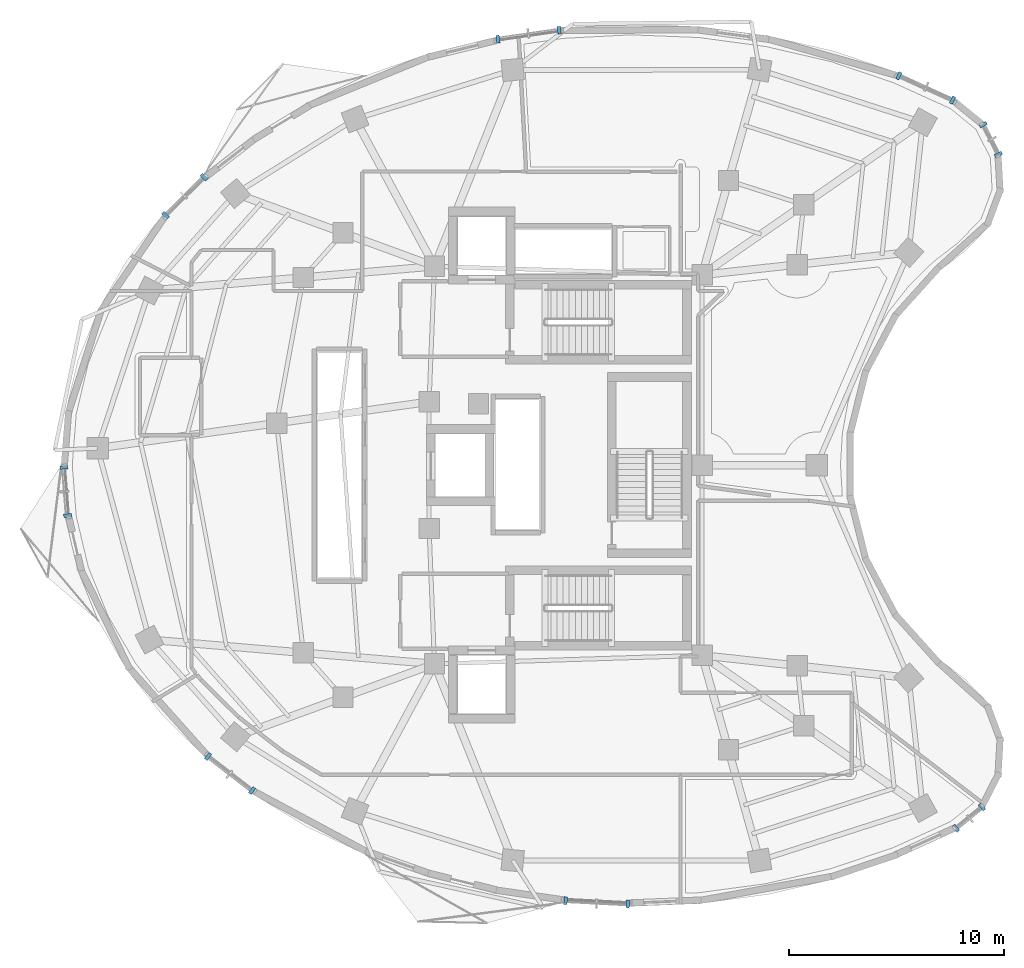
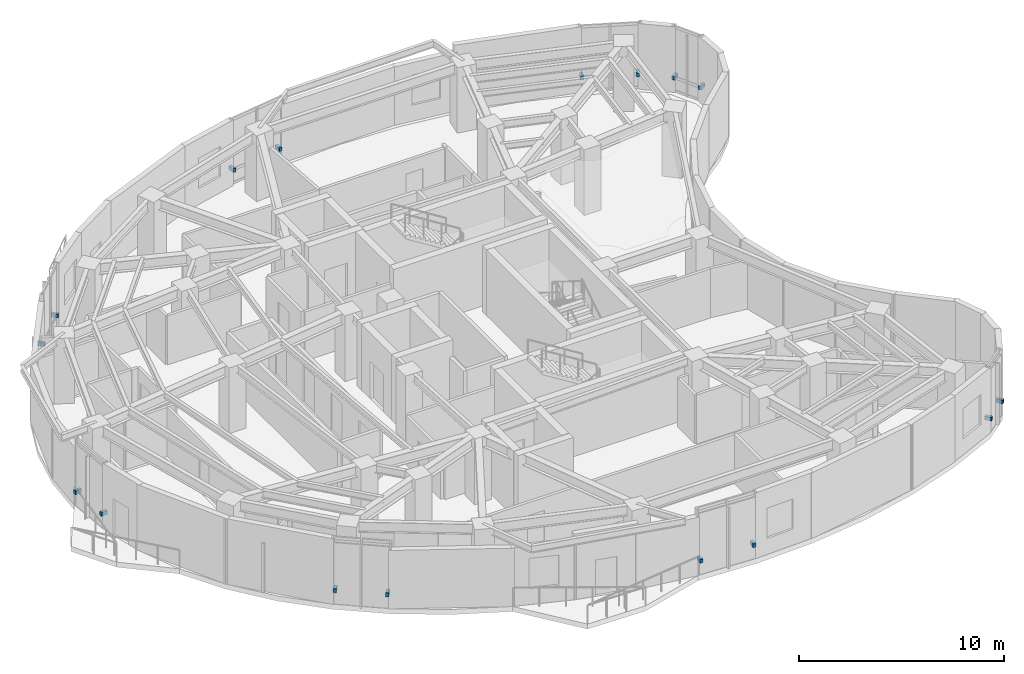
# One storey, part 10 of 13: 16 discrete accessories.
"""IFC4 building model written with IfcOpenShell, lengths in metres."""

from ifc_helpers import new_model, si_unit, direction, frame, origin, origin_2d, place, context, subcontext, project, spatial, rectangle, extrude, material, type_object, element, save


model = new_model("IFC4")

# Units and contexts
model_context = context("Model", 3, precision=1e-05, world=origin(), true_north=direction((0.0, 1.0)))
body_context = subcontext(model_context, "Body", "Model", "MODEL_VIEW")
ifc_project = project(units=[si_unit("LENGTHUNIT", "METRE"), si_unit("AREAUNIT", "SQUARE_METRE"), si_unit("VOLUMEUNIT", "CUBIC_METRE"), si_unit("PLANEANGLEUNIT", "RADIAN"), si_unit("MASSUNIT", "GRAM", prefix="KILO")], contexts=[model_context])

# Site, building, storey
site_placement = place(None, origin())
site = spatial("IfcSite", under=ifc_project, at=site_placement, CompositionType="ELEMENT")
building_placement = place(site_placement, origin())
building = spatial("IfcBuilding", under=site, at=building_placement, Name="Korentha Bioscience Tower", CompositionType="ELEMENT")
storey_placement = place(building_placement, frame((0.0, 0.0, 175.199951171875)))
storey = spatial("IfcBuildingStorey", under=building, at=storey_placement, Name="L40", CompositionType="ELEMENT", Elevation=175.199951171875)

# Discrete accessories
ifc_material = material(Name="Stainless Steel 316", Category="steel")
discrete_accessory_type = type_object("IfcDiscreteAccessoryType", Name="Stainless Steel Solar-Screen Outrigger Bracket", PredefinedType="BRACKET", material=ifc_material)
for number, where, z_axis, x_axis, name in (
    (1, (49.205810546875, 43.982421875, 0.740234375), (0.0, 0.0, 1.0), (-0.910644398392, 0.413190972406, 0.0), "CW-L40-01 Solar-Screen Support Bracket 1"),
    (2, (46.70947265625, 45.114990234375, 0.740234375), (0.0, 0.0, 1.0), (-0.910644398392, 0.413190972406, 0.0), "CW-L40-01 Solar-Screen Support Bracket 2"),
    (3, (30.89990234375, 47.232666015625, 0.740234375), (0.0, 0.0, 1.0), (-0.989461919888, -0.144793332342, 0.0), "CW-L40-07 Solar-Screen Support Bracket 1"),
    (4, (28.0556640625, 46.81640625, 0.740234375), (0.0, 0.0, 1.0), (-0.989461919888, -0.144793332342, 0.0), "CW-L40-07 Solar-Screen Support Bracket 2"),
    (5, (14.37451171875, 40.389892578125, 0.740234375), (0.0, 0.0, 1.0), (-0.711460557971, -0.702726030862, 0.0), "CW-L40-13 Solar-Screen Support Bracket 1"),
    (6, (12.58984375, 38.626953125, 0.740234375), (0.0, 0.0, 1.0), (-0.711460557971, -0.702726030862, 0.0), "CW-L40-13 Solar-Screen Support Bracket 2"),
    (7, (7.8544921875, 26.89599609375, 0.740234375), (0.0, 0.0, 1.0), (0.078030772566, -0.996950950916, 0.0), "CW-L40-19 Solar-Screen Support Bracket 1"),
    (8, (8.029541015625, 24.658447265625, 0.740234375), (0.0, 0.0, 1.0), (0.078030772566, -0.996950950916, 0.0), "CW-L40-19 Solar-Screen Support Bracket 2"),
    (9, (14.565673828125, 13.443359375, 0.740234375), (0.0, 0.0, 1.0), (0.790546796919, -0.612401634454, 0.0), "CW-L40-25 Solar-Screen Support Bracket 1"),
    (10, (16.61083984375, 11.859130859375, 0.740234375), (0.0, 0.0, 1.0), (0.790546796919, -0.612401634454, 0.0), "CW-L40-25 Solar-Screen Support Bracket 2"),
    (11, (31.201171875, 6.737548828125, 0.740234375), (0.0, 0.0, 1.0), (0.998637677307, -0.052180355139, 0.0), "CW-L40-31 Solar-Screen Support Bracket 1"),
    (12, (34.089599609375, 6.586669921875, 0.740234375), (0.0, 0.0, 1.0), (0.998637677307, -0.052180355139, 0.0), "CW-L40-31 Solar-Screen Support Bracket 2"),
    (13, (49.366943359375, 10.10546875, 0.740234375), (0.0, 0.0, 1.0), (0.77425646139, 0.632871971251, 0.0), "CW-L40-37 Solar-Screen Support Bracket 1"),
    (14, (50.573974609375, 11.092041015625, 0.740234375), (0.0, 0.0, 1.0), (0.77425646139, 0.632871971251, 0.0), "CW-L40-37 Solar-Screen Support Bracket 2"),
    (15, (51.33544921875, 41.452880859375, 0.740234375), (0.0, 0.0, 1.0), (-0.45428845847, 0.890854643868, 0.0), "CW-L40-61 Solar-Screen Support Bracket 1"),
    (16, (50.627197265625, 42.842041015625, 0.740234375), (0.0, 0.0, 1.0), (-0.45428845847, 0.890854643868, 0.0), "CW-L40-61 Solar-Screen Support Bracket 2"),
):
    element("IfcDiscreteAccessory", number, at=place(storey_placement, frame(where, z_axis=z_axis, x_axis=x_axis)), inside=storey, type_object=discrete_accessory_type, Name=name, PredefinedType="BRACKET", context=body_context, shape_type="SweptSolid", body=[
        extrude(rectangle(XDim=0.159912109375, YDim=0.360107421875, at=origin_2d()), origin(), (0.0, 0.0, 1.0), 0.219970703125),
    ])

save(model, "model.ifc")
